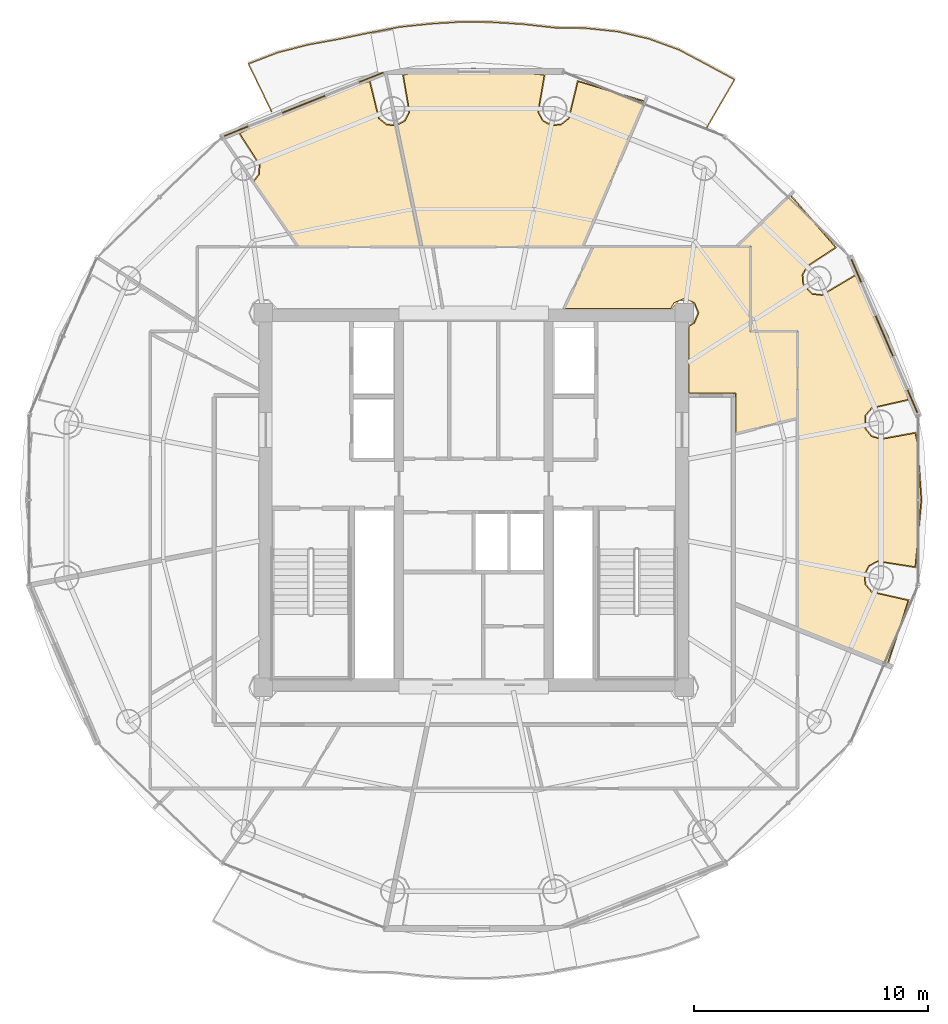
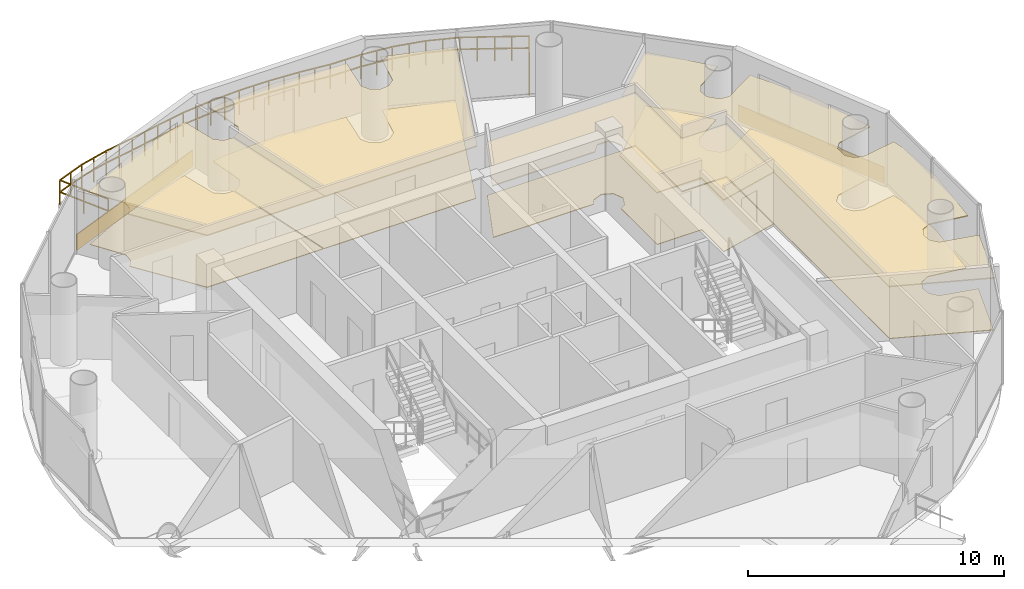
# One storey, part 23 of 23: 10 coverings, 1 railing.
"""IFC4 building model written with IfcOpenShell, lengths in metres."""

from ifc_helpers import new_model, si_unit, direction, frame, origin, origin_2d, place, context, subcontext, project, spatial, polyline, rectangle, outline, extrude, source, transform, mapped, material, layer, layer_set, type_object, element, save


model = new_model("IFC4")

# Units and contexts
model_context = context("Model", 3, precision=1e-05, world=origin(), true_north=direction((-0.2419218956, 0.970295726276)))
body_context = subcontext(model_context, "Body", "Model", "MODEL_VIEW")
ifc_project = project(units=[si_unit("LENGTHUNIT", "METRE"), si_unit("AREAUNIT", "SQUARE_METRE"), si_unit("VOLUMEUNIT", "CUBIC_METRE"), si_unit("PLANEANGLEUNIT", "RADIAN"), si_unit("MASSUNIT", "GRAM", prefix="KILO")], contexts=[model_context])

# Site, building, storey
site_placement = place(None, origin())
site = spatial("IfcSite", under=ifc_project, at=site_placement, CompositionType="ELEMENT")
building_placement = place(site_placement, origin())
building = spatial("IfcBuilding", under=site, at=building_placement, Name="Cobrevalo Terracotta Tower", CompositionType="ELEMENT")
storey_placement = place(building_placement, frame((0.0, 0.0, 251.949951171875)))
storey = spatial("IfcBuildingStorey", under=building, at=storey_placement, Name="L66", CompositionType="ELEMENT", Elevation=251.949951171875)

# Railing
ifc_material_1 = material(Name="Laminated structural glass and stainless steel", Category="steel")
railing_type = type_object("IfcRailingType", Name="Balcony lobe structural glass & terracotta-cap balustrade 1180 mm", PredefinedType="BALUSTRADE", material=ifc_material_1)
railing_placement = place(storey_placement, frame((47.960205078125, 42.719970703125, 0.0)))
element("IfcRailing", 1, at=railing_placement, inside=storey, type_object=railing_type, Name="L66 spiralling balcony lobe balustrade 1", PredefinedType="BALUSTRADE", context=body_context, shape_type="SweptSolid", body=[
    extrude(rectangle(XDim=0.048095703125, YDim=0.048095703125, at=origin_2d()), frame((0.0, 0.0, 1.15576171875), z_axis=(0.502641922327, 0.864494706704, 0.0), x_axis=(-0.864494706704, 0.502641922327, 0.0)), (0.0, 0.0, 1.0), 2.372314453125),
    extrude(rectangle(XDim=0.048095703125, YDim=0.048095703125, at=origin_2d()), frame((0.0, 0.0, 0.58984375), z_axis=(0.502641922327, 0.864494706704, 0.0), x_axis=(-0.864494706704, 0.502641922327, 0.0)), (0.0, 0.0, 1.0), 2.372314453125),
    extrude(rectangle(XDim=0.048095703125, YDim=0.048095703125, at=origin_2d()), frame((1.1923828125, 2.05078125, 1.15576171875), z_axis=(-0.87968606965, 0.475554853685, 0.0), x_axis=(-0.475554853685, -0.87968606965, 0.0)), (0.0, 0.0, 1.0), 1.35009765625),
    extrude(rectangle(XDim=0.048095703125, YDim=0.048095703125, at=origin_2d()), frame((1.1923828125, 2.05078125, 0.58984375), z_axis=(-0.87968606965, 0.475554853685, 0.0), x_axis=(-0.475554853685, -0.87968606965, 0.0)), (0.0, 0.0, 1.0), 1.35009765625),
    extrude(rectangle(XDim=0.048095703125, YDim=0.048095703125, at=origin_2d()), frame((0.004638671875, 2.69287109375, 1.15576171875), z_axis=(-0.883490294102, 0.468449463899, 0.0), x_axis=(-0.468449463899, -0.883490294102, 0.0)), (0.0, 0.0, 1.0), 1.357666015625),
    extrude(rectangle(XDim=0.048095703125, YDim=0.048095703125, at=origin_2d()), frame((0.004638671875, 2.69287109375, 0.58984375), z_axis=(-0.883490294102, 0.468449463899, 0.0), x_axis=(-0.468449463899, -0.883490294102, 0.0)), (0.0, 0.0, 1.0), 1.357666015625),
    extrude(rectangle(XDim=0.048095703125, YDim=0.048095703125, at=origin_2d()), frame((-1.19482421875, 3.328857421875, 1.15576171875), z_axis=(-0.939303951766, 0.34308612067, 0.0), x_axis=(-0.34308612067, -0.939303951766, 0.0)), (0.0, 0.0, 1.0), 1.35693359375),
    extrude(rectangle(XDim=0.048095703125, YDim=0.048095703125, at=origin_2d()), frame((-1.19482421875, 3.328857421875, 0.58984375), z_axis=(-0.939303951766, 0.34308612067, 0.0), x_axis=(-0.34308612067, -0.939303951766, 0.0)), (0.0, 0.0, 1.0), 1.35693359375),
    extrude(rectangle(XDim=0.048095703125, YDim=0.048095703125, at=origin_2d()), frame((-2.469482421875, 3.79443359375, 1.15576171875), z_axis=(-0.974060482742, 0.226287816643, 0.0), x_axis=(-0.226287816643, -0.974060482742, 0.0)), (0.0, 0.0, 1.0), 1.360595703125),
    extrude(rectangle(XDim=0.048095703125, YDim=0.048095703125, at=origin_2d()), frame((-2.469482421875, 3.79443359375, 0.58984375), z_axis=(-0.974060482742, 0.226287816643, 0.0), x_axis=(-0.226287816643, -0.974060482742, 0.0)), (0.0, 0.0, 1.0), 1.360595703125),
    extrude(rectangle(XDim=0.048095703125, YDim=0.048095703125, at=origin_2d()), frame((-3.794677734375, 4.102294921875, 1.15576171875), z_axis=(-0.994502500027, 0.104712833216, 0.0), x_axis=(-0.104712833216, -0.994502500027, 0.0)), (0.0, 0.0, 1.0), 1.359375),
    extrude(rectangle(XDim=0.048095703125, YDim=0.048095703125, at=origin_2d()), frame((-3.794677734375, 4.102294921875, 0.58984375), z_axis=(-0.994502500027, 0.104712833216, 0.0), x_axis=(-0.104712833216, -0.994502500027, 0.0)), (0.0, 0.0, 1.0), 1.359375),
    extrude(rectangle(XDim=0.048095703125, YDim=0.048095703125, at=origin_2d()), frame((-5.146484375, 4.24462890625, 1.15576171875), z_axis=(-0.999834453909, 0.018195185558, 0.0), x_axis=(-0.018195185558, -0.999834453909, 0.0)), (0.0, 0.0, 1.0), 1.355224609375),
    extrude(rectangle(XDim=0.048095703125, YDim=0.048095703125, at=origin_2d()), frame((-5.146484375, 4.24462890625, 0.58984375), z_axis=(-0.999834453909, 0.018195185558, 0.0), x_axis=(-0.018195185558, -0.999834453909, 0.0)), (0.0, 0.0, 1.0), 1.355224609375),
    extrude(rectangle(XDim=0.048095703125, YDim=0.048095703125, at=origin_2d()), frame((-6.50146484375, 4.269287109375, 1.15576171875), z_axis=(-0.993757365556, 0.111562979534, 0.0), x_axis=(-0.111562979534, -0.993757365556, 0.0)), (0.0, 0.0, 1.0), 1.326171875),
    extrude(rectangle(XDim=0.048095703125, YDim=0.048095703125, at=origin_2d()), frame((-6.50146484375, 4.269287109375, 0.58984375), z_axis=(-0.993757365556, 0.111562979534, 0.0), x_axis=(-0.111562979534, -0.993757365556, 0.0)), (0.0, 0.0, 1.0), 1.326171875),
    extrude(rectangle(XDim=0.048095703125, YDim=0.048095703125, at=origin_2d()), frame((-7.8193359375, 4.417236328125, 1.15576171875), z_axis=(-0.997986945276, 0.063419689836, 0.0), x_axis=(-0.063419689836, -0.997986945276, 0.0)), (0.0, 0.0, 1.0), 1.328125),
    extrude(rectangle(XDim=0.048095703125, YDim=0.048095703125, at=origin_2d()), frame((-7.8193359375, 4.417236328125, 0.58984375), z_axis=(-0.997986945276, 0.063419689836, 0.0), x_axis=(-0.063419689836, -0.997986945276, 0.0)), (0.0, 0.0, 1.0), 1.328125),
    extrude(rectangle(XDim=0.048095703125, YDim=0.048095703125, at=origin_2d()), frame((-9.144775390625, 4.50146484375, 1.15576171875), z_axis=(-0.999902065947, 0.013994946043, 0.0), x_axis=(-0.013994946043, -0.999902065947, 0.0)), (0.0, 0.0, 1.0), 1.325927734375),
    extrude(rectangle(XDim=0.048095703125, YDim=0.048095703125, at=origin_2d()), frame((-9.144775390625, 4.50146484375, 0.58984375), z_axis=(-0.999902065947, 0.013994946043, 0.0), x_axis=(-0.013994946043, -0.999902065947, 0.0)), (0.0, 0.0, 1.0), 1.325927734375),
    extrude(rectangle(XDim=0.048095703125, YDim=0.048095703125, at=origin_2d()), frame((-10.470458984375, 4.52001953125, 1.15576171875), z_axis=(-0.998056153456, -0.062321060236, 0.0), x_axis=(0.062321060236, -0.998056153456, 0.0)), (0.0, 0.0, 1.0), 1.328125),
    extrude(rectangle(XDim=0.048095703125, YDim=0.048095703125, at=origin_2d()), frame((-10.470458984375, 4.52001953125, 0.58984375), z_axis=(-0.998056153456, -0.062321060236, 0.0), x_axis=(0.062321060236, -0.998056153456, 0.0)), (0.0, 0.0, 1.0), 1.328125),
    extrude(rectangle(XDim=0.048095703125, YDim=0.048095703125, at=origin_2d()), frame((-11.7958984375, 4.437255859375, 1.15576171875), z_axis=(-0.994726183174, -0.102566176236, 0.0), x_axis=(0.102566176236, -0.994726183174, 0.0)), (0.0, 0.0, 1.0), 1.325927734375),
    extrude(rectangle(XDim=0.048095703125, YDim=0.048095703125, at=origin_2d()), frame((-11.7958984375, 4.437255859375, 0.58984375), z_axis=(-0.994726183174, -0.102566176236, 0.0), x_axis=(0.102566176236, -0.994726183174, 0.0)), (0.0, 0.0, 1.0), 1.325927734375),
    extrude(rectangle(XDim=0.048095703125, YDim=0.048095703125, at=origin_2d()), frame((-13.11474609375, 4.30126953125, 1.15576171875), z_axis=(-0.98230312037, -0.187298103865, 0.0), x_axis=(0.187298103865, -0.98230312037, 0.0)), (0.0, 0.0, 1.0), 1.326904296875),
    extrude(rectangle(XDim=0.048095703125, YDim=0.048095703125, at=origin_2d()), frame((-13.11474609375, 4.30126953125, 0.58984375), z_axis=(-0.98230312037, -0.187298103865, 0.0), x_axis=(0.187298103865, -0.98230312037, 0.0)), (0.0, 0.0, 1.0), 1.326904296875),
    extrude(rectangle(XDim=0.048095703125, YDim=0.048095703125, at=origin_2d()), frame((-14.418212890625, 4.052734375, 1.15576171875), z_axis=(-0.979270496797, -0.202556891026, 0.0), x_axis=(0.202556891026, -0.979270496797, 0.0)), (0.0, 0.0, 1.0), 1.325927734375),
    extrude(rectangle(XDim=0.048095703125, YDim=0.048095703125, at=origin_2d()), frame((-14.418212890625, 4.052734375, 0.58984375), z_axis=(-0.979270496797, -0.202556891026, 0.0), x_axis=(0.202556891026, -0.979270496797, 0.0)), (0.0, 0.0, 1.0), 1.325927734375),
    extrude(rectangle(XDim=0.048095703125, YDim=0.048095703125, at=origin_2d()), frame((-15.716552734375, 3.7841796875, 1.15576171875), z_axis=(-0.983741430346, -0.179590640682, 0.0), x_axis=(0.179590640682, -0.983741430346, 0.0)), (0.0, 0.0, 1.0), 1.34033203125),
    extrude(rectangle(XDim=0.048095703125, YDim=0.048095703125, at=origin_2d()), frame((-15.716552734375, 3.7841796875, 0.58984375), z_axis=(-0.983741430346, -0.179590640682, 0.0), x_axis=(0.179590640682, -0.983741430346, 0.0)), (0.0, 0.0, 1.0), 1.34033203125),
    extrude(rectangle(XDim=0.048095703125, YDim=0.048095703125, at=origin_2d()), frame((-17.03515625, 3.54345703125, 1.15576171875), z_axis=(-0.968499181534, -0.249016737125, 0.0), x_axis=(0.249016737125, -0.968499181534, 0.0)), (0.0, 0.0, 1.0), 1.34619140625),
    extrude(rectangle(XDim=0.048095703125, YDim=0.048095703125, at=origin_2d()), frame((-17.03515625, 3.54345703125, 0.58984375), z_axis=(-0.968499181534, -0.249016737125, 0.0), x_axis=(0.249016737125, -0.968499181534, 0.0)), (0.0, 0.0, 1.0), 1.34619140625),
    extrude(rectangle(XDim=0.048095703125, YDim=0.048095703125, at=origin_2d()), frame((-18.3388671875, 3.208251953125, 1.15576171875), z_axis=(-0.933555930287, -0.358431757838, 0.0), x_axis=(0.358431757838, -0.933555930287, 0.0)), (0.0, 0.0, 1.0), 1.34521484375),
    extrude(rectangle(XDim=0.048095703125, YDim=0.048095703125, at=origin_2d()), frame((-18.3388671875, 3.208251953125, 0.58984375), z_axis=(-0.933555930287, -0.358431757838, 0.0), x_axis=(0.358431757838, -0.933555930287, 0.0)), (0.0, 0.0, 1.0), 1.34521484375),
    extrude(rectangle(XDim=0.048095703125, YDim=0.048095703125, at=origin_2d()), frame((-19.5947265625, 2.72607421875, 1.15576171875), z_axis=(0.435633828595, -0.900123973341, 0.0), x_axis=(0.900123973341, 0.435633828595, 0.0)), (0.0, 0.0, 1.0), 2.27587890625),
    extrude(rectangle(XDim=0.048095703125, YDim=0.048095703125, at=origin_2d()), frame((-19.5947265625, 2.72607421875, 0.58984375), z_axis=(0.435633828595, -0.900123973341, 0.0), x_axis=(0.900123973341, 0.435633828595, 0.0)), (0.0, 0.0, 1.0), 2.27587890625),
    extrude(rectangle(XDim=0.0419921875, YDim=0.0419921875, at=origin_2d()), origin(), (0.0, 0.0, 1.0), 1.1318359375),
    extrude(rectangle(XDim=0.0419921875, YDim=0.0419921875, at=origin_2d()), frame((0.59619140625, 1.025390625, 0.0)), (0.0, 0.0, 1.0), 1.1318359375),
    extrude(rectangle(XDim=0.0419921875, YDim=0.0419921875, at=origin_2d()), frame((1.1923828125, 2.05078125, 0.0)), (0.0, 0.0, 1.0), 1.1318359375),
    extrude(rectangle(XDim=0.0419921875, YDim=0.0419921875, at=origin_2d()), frame((0.5986328125, 2.371826171875, 0.0)), (0.0, 0.0, 1.0), 1.1318359375),
    extrude(rectangle(XDim=0.0419921875, YDim=0.0419921875, at=origin_2d()), frame((0.004638671875, 2.69287109375, 0.0)), (0.0, 0.0, 1.0), 1.1318359375),
    extrude(rectangle(XDim=0.0419921875, YDim=0.0419921875, at=origin_2d()), frame((-0.59521484375, 3.0107421875, 0.0)), (0.0, 0.0, 1.0), 1.1318359375),
    extrude(rectangle(XDim=0.0419921875, YDim=0.0419921875, at=origin_2d()), frame((-1.19482421875, 3.328857421875, 0.0)), (0.0, 0.0, 1.0), 1.1318359375),
    extrude(rectangle(XDim=0.0419921875, YDim=0.0419921875, at=origin_2d()), frame((-1.83203125, 3.5615234375, 0.0)), (0.0, 0.0, 1.0), 1.1318359375),
    extrude(rectangle(XDim=0.0419921875, YDim=0.0419921875, at=origin_2d()), frame((-2.469482421875, 3.79443359375, 0.0)), (0.0, 0.0, 1.0), 1.1318359375),
    extrude(rectangle(XDim=0.0419921875, YDim=0.0419921875, at=origin_2d()), frame((-3.132080078125, 3.9482421875, 0.0)), (0.0, 0.0, 1.0), 1.1318359375),
    extrude(rectangle(XDim=0.0419921875, YDim=0.0419921875, at=origin_2d()), frame((-3.794677734375, 4.102294921875, 0.0)), (0.0, 0.0, 1.0), 1.1318359375),
    extrude(rectangle(XDim=0.0419921875, YDim=0.0419921875, at=origin_2d()), frame((-4.470703125, 4.17333984375, 0.0)), (0.0, 0.0, 1.0), 1.1318359375),
    extrude(rectangle(XDim=0.0419921875, YDim=0.0419921875, at=origin_2d()), frame((-5.146484375, 4.24462890625, 0.0)), (0.0, 0.0, 1.0), 1.1318359375),
    extrude(rectangle(XDim=0.0419921875, YDim=0.0419921875, at=origin_2d()), frame((-5.823974609375, 4.2568359375, 0.0)), (0.0, 0.0, 1.0), 1.1318359375),
    extrude(rectangle(XDim=0.0419921875, YDim=0.0419921875, at=origin_2d()), frame((-6.50146484375, 4.269287109375, 0.0)), (0.0, 0.0, 1.0), 1.1318359375),
    extrude(rectangle(XDim=0.0419921875, YDim=0.0419921875, at=origin_2d()), frame((-7.160400390625, 4.34326171875, 0.0)), (0.0, 0.0, 1.0), 1.1318359375),
    extrude(rectangle(XDim=0.0419921875, YDim=0.0419921875, at=origin_2d()), frame((-7.8193359375, 4.417236328125, 0.0)), (0.0, 0.0, 1.0), 1.1318359375),
    extrude(rectangle(XDim=0.0419921875, YDim=0.0419921875, at=origin_2d()), frame((-8.48193359375, 4.45947265625, 0.0)), (0.0, 0.0, 1.0), 1.1318359375),
    extrude(rectangle(XDim=0.0419921875, YDim=0.0419921875, at=origin_2d()), frame((-9.144775390625, 4.50146484375, 0.0)), (0.0, 0.0, 1.0), 1.1318359375),
    extrude(rectangle(XDim=0.0419921875, YDim=0.0419921875, at=origin_2d()), frame((-9.8076171875, 4.5107421875, 0.0)), (0.0, 0.0, 1.0), 1.1318359375),
    extrude(rectangle(XDim=0.0419921875, YDim=0.0419921875, at=origin_2d()), frame((-10.470458984375, 4.52001953125, 0.0)), (0.0, 0.0, 1.0), 1.1318359375),
    extrude(rectangle(XDim=0.0419921875, YDim=0.0419921875, at=origin_2d()), frame((-11.13330078125, 4.478515625, 0.0)), (0.0, 0.0, 1.0), 1.1318359375),
    extrude(rectangle(XDim=0.0419921875, YDim=0.0419921875, at=origin_2d()), frame((-11.7958984375, 4.437255859375, 0.0)), (0.0, 0.0, 1.0), 1.1318359375),
    extrude(rectangle(XDim=0.0419921875, YDim=0.0419921875, at=origin_2d()), frame((-12.455322265625, 4.369140625, 0.0)), (0.0, 0.0, 1.0), 1.1318359375),
    extrude(rectangle(XDim=0.0419921875, YDim=0.0419921875, at=origin_2d()), frame((-13.11474609375, 4.30126953125, 0.0)), (0.0, 0.0, 1.0), 1.1318359375),
    extrude(rectangle(XDim=0.0419921875, YDim=0.0419921875, at=origin_2d()), frame((-13.7666015625, 4.177001953125, 0.0)), (0.0, 0.0, 1.0), 1.1318359375),
    extrude(rectangle(XDim=0.0419921875, YDim=0.0419921875, at=origin_2d()), frame((-14.418212890625, 4.052734375, 0.0)), (0.0, 0.0, 1.0), 1.1318359375),
    extrude(rectangle(XDim=0.0419921875, YDim=0.0419921875, at=origin_2d()), frame((-15.0673828125, 3.91845703125, 0.0)), (0.0, 0.0, 1.0), 1.1318359375),
    extrude(rectangle(XDim=0.0419921875, YDim=0.0419921875, at=origin_2d()), frame((-15.716552734375, 3.7841796875, 0.0)), (0.0, 0.0, 1.0), 1.1318359375),
    extrude(rectangle(XDim=0.0419921875, YDim=0.0419921875, at=origin_2d()), frame((-16.3759765625, 3.663818359375, 0.0)), (0.0, 0.0, 1.0), 1.1318359375),
    extrude(rectangle(XDim=0.0419921875, YDim=0.0419921875, at=origin_2d()), frame((-17.03515625, 3.54345703125, 0.0)), (0.0, 0.0, 1.0), 1.1318359375),
    extrude(rectangle(XDim=0.0419921875, YDim=0.0419921875, at=origin_2d()), frame((-17.68701171875, 3.3759765625, 0.0)), (0.0, 0.0, 1.0), 1.1318359375),
    extrude(rectangle(XDim=0.0419921875, YDim=0.0419921875, at=origin_2d()), frame((-18.3388671875, 3.208251953125, 0.0)), (0.0, 0.0, 1.0), 1.1318359375),
    extrude(rectangle(XDim=0.0419921875, YDim=0.0419921875, at=origin_2d()), frame((-18.966796875, 2.96728515625, 0.0)), (0.0, 0.0, 1.0), 1.1318359375),
    extrude(rectangle(XDim=0.0419921875, YDim=0.0419921875, at=origin_2d()), frame((-19.5947265625, 2.72607421875, 0.0)), (0.0, 0.0, 1.0), 1.1318359375),
    extrude(rectangle(XDim=0.0419921875, YDim=0.0419921875, at=origin_2d()), frame((-19.09912109375, 1.70166015625, 0.0)), (0.0, 0.0, 1.0), 1.1318359375),
    extrude(rectangle(XDim=0.0419921875, YDim=0.0419921875, at=origin_2d()), frame((-18.603271484375, 0.677490234375, 0.0)), (0.0, 0.0, 1.0), 1.1318359375),
])

# Coverings
ifc_material_2 = material(Name="Engineered Brazilian hardwood flooring", Category="wood")
ifc_layer_1 = layer(ifc_material_2, 0.028076171875)
ifc_layer_set_1 = layer_set([ifc_layer_1], Name="Engineered Brazilian hardwood flooring")
covering_type_1 = type_object("IfcCoveringType", Name="Engineered Hardwood Suite Flooring 28", PredefinedType="FLOORING", material=ifc_layer_set_1)
covering_1_placement = place(storey_placement, origin())
element("IfcCovering", 2, at=covering_1_placement, inside=storey, type_object=covering_type_1, Name="Flat L66A Penthouse Living and Dining Room floor finish", PredefinedType="FLOORING", context=body_context, shape_type="SweptSolid", body=[
    extrude(outline(polyline([(51.52978515625, 39.81396484375), (53.4560546875, 37.599365234375), (52.2451171875, 36.805419921875), (52.035400390625, 36.43017578125), (52.06982421875, 36.001953125), (52.462890625, 35.593994140625), (52.8896484375, 35.5439453125), (54.300048828125, 36.382568359375), (55.66455078125, 33.848876953125), (56.56494140625, 31.1005859375), (55.00244140625, 30.74462890625), (54.727294921875, 30.41455078125), (54.72314453125, 29.84814453125), (54.9931640625, 29.51416015625), (55.4033203125, 29.38623046875), (56.8642578125, 29.65087890625), (56.956298828125, 29.2041015625), (57.119873046875, 26.800048828125), (56.8642578125, 23.948974609375), (55.259033203125, 24.198486328125), (54.881591796875, 23.9931640625), (54.681884765625, 23.612548828125), (54.727294921875, 23.185302734375), (55.00244140625, 22.855224609375), (56.56494140625, 22.49951171875), (55.669921875, 19.766357421875), (51.85498046875, 21.289794921875), (51.85498046875, 34.030029296875), (49.844970703125, 34.030029296875), (49.844970703125, 37.64501953125), (49.27978515625, 37.64501953125), (51.52978515625, 39.81396484375)])), origin(), (0.0, 0.0, 1.0), 0.030029296875),
])
covering_2_placement = place(storey_placement, origin())
element("IfcCovering", 3, at=covering_2_placement, inside=storey, type_object=covering_type_1, Name="Flat L66A Penthouse Family Lounge floor finish", PredefinedType="FLOORING", context=body_context, shape_type="SweptSolid", body=[
    extrude(outline(polyline([(34.71728515625, 42.80712890625), (35.064453125, 43.003173828125), (35.26416015625, 43.3837890625), (34.994140625, 44.964599609375), (35.504150390625, 45.062255859375), (38.0, 45.219970703125), (41.005859375, 44.964599609375), (40.73583984375, 43.3837890625), (40.935546875, 43.003173828125), (41.312744140625, 42.797607421875), (41.74072265625, 42.83642578125), (42.074951171875, 43.1064453125), (42.45947265625, 44.68603515625), (45.294189453125, 43.8251953125), (42.638427734375, 37.64501953125), (35.782470703125, 37.64501953125), (34.71728515625, 42.80712890625)])), origin(), (0.0, 0.0, 1.0), 0.030029296875),
])
covering_3_placement = place(storey_placement, origin())
element("IfcCovering", 4, at=covering_3_placement, inside=storey, type_object=covering_type_1, Name="Flat L66A Principal Guest Bedroom floor finish", PredefinedType="FLOORING", context=body_context, shape_type="SweptSolid", body=[
    extrude(outline(polyline([(28.59716796875, 40.399658203125), (28.82763671875, 40.706298828125), (28.861572265625, 41.134521484375), (28.00146484375, 42.4697265625), (30.682861328125, 43.817626953125), (33.54052734375, 44.68603515625), (33.925048828125, 43.1064453125), (34.25927734375, 42.83642578125), (34.678466796875, 42.796630859375), (35.74169921875, 37.64501953125), (30.506591796875, 37.64501953125), (28.59716796875, 40.399658203125)])), origin(), (0.0, 0.0, 1.0), 0.030029296875),
])
ifc_material_3 = material(Name="Honed terracotta and granite tile", Category="masonry")
ifc_layer_2 = layer(ifc_material_3, 0.034912109375)
ifc_layer_set_2 = layer_set([ifc_layer_2], Name="Honed terracotta and granite tile")
covering_type_2 = type_object("IfcCoveringType", Name="Honed Terracotta & Granite Interior Flooring 35", PredefinedType="FLOORING", material=ifc_layer_set_2)
covering_4_placement = place(storey_placement, origin())
element("IfcCovering", 5, at=covering_4_placement, inside=storey, type_object=covering_type_2, Name="Flat L66A Apartment Entrance Hall floor finish", PredefinedType="FLOORING", context=body_context, shape_type="SweptSolid", body=[
    extrude(outline(polyline([(47.195068359375, 31.3798828125), (47.195068359375, 34.218505859375), (47.438720703125, 34.361328125), (47.620361328125, 34.800048828125), (47.438720703125, 35.23876953125), (47.0, 35.42041015625), (46.561279296875, 35.23876953125), (46.41845703125, 34.9951171875), (41.885009765625, 34.9951171875), (43.115234375, 37.60498046875), (49.804931640625, 37.60498046875), (49.804931640625, 33.989990234375), (51.81494140625, 33.989990234375), (51.81494140625, 30.312255859375), (49.205078125, 29.652587890625), (49.205078125, 31.3798828125), (47.195068359375, 31.3798828125)])), origin(), (0.0, 0.0, 1.0), 0.030029296875),
])
ifc_material_4 = material(Name="Acoustic perforated gypsum ceiling", Category="gypsum")
ifc_layer_3 = layer(ifc_material_4, 0.050048828125)
ifc_layer_set_3 = layer_set([ifc_layer_3], Name="Acoustic perforated gypsum ceiling")
covering_type_3 = type_object("IfcCoveringType", Name="Perforated Acoustic Gypsum Ceiling 50", PredefinedType="CEILING", material=ifc_layer_set_3)
covering_5_placement = place(storey_placement, frame((0.0, 0.0, 2.5)))
element("IfcCovering", 6, at=covering_5_placement, inside=storey, type_object=covering_type_3, Name="Flat L66A Penthouse Living and Dining Room acoustic ceiling", PredefinedType="CEILING", context=body_context, shape_type="SweptSolid", body=[
    extrude(outline(polyline([(51.531982421875, 39.87841796875), (53.51953125, 37.586669921875), (52.2763671875, 36.772705078125), (52.07958984375, 36.420654296875), (52.11181640625, 36.0185546875), (52.48095703125, 35.635498046875), (52.881591796875, 35.588623046875), (54.312255859375, 36.44384765625), (55.7060546875, 33.86669921875), (56.6181640625, 31.06494140625), (55.02734375, 30.70703125), (54.76904296875, 30.39697265625), (54.764892578125, 29.865234375), (55.0185546875, 29.551513671875), (55.40380859375, 29.431396484375), (56.899169921875, 29.703369140625), (57.0009765625, 29.210205078125), (57.1650390625, 26.800048828125), (56.899169921875, 23.896484375), (55.268310546875, 24.154296875), (54.913818359375, 23.96142578125), (54.726318359375, 23.60400390625), (54.76904296875, 23.202880859375), (55.02734375, 22.89306640625), (56.6181640625, 22.53515625), (55.69677734375, 19.707275390625), (51.81005859375, 21.25927734375), (51.81005859375, 33.985107421875), (49.800048828125, 33.985107421875), (49.800048828125, 37.60009765625), (49.168212890625, 37.60009765625), (51.531982421875, 39.87841796875)])), origin(), (0.0, 0.0, 1.0), 0.050048828125),
])
covering_6_placement = place(storey_placement, frame((0.0, 0.0, 2.5)))
element("IfcCovering", 7, at=covering_6_placement, inside=storey, type_object=covering_type_3, Name="Flat L66A Penthouse Family Lounge acoustic ceiling", PredefinedType="CEILING", context=body_context, shape_type="SweptSolid", body=[
    extrude(outline(polyline([(34.6650390625, 42.837890625), (35.0322265625, 43.034912109375), (35.2197265625, 43.39208984375), (34.94091796875, 45.000244140625), (35.49853515625, 45.107177734375), (38.0, 45.26513671875), (41.05908203125, 45.000244140625), (40.7802734375, 43.39208984375), (40.9677734375, 43.034912109375), (41.322021484375, 42.842041015625), (41.7236328125, 42.87841796875), (42.03759765625, 43.1318359375), (42.424560546875, 44.738525390625), (45.35498046875, 43.852783203125), (42.668212890625, 37.60009765625), (35.745849609375, 37.60009765625), (34.6650390625, 42.837890625)])), origin(), (0.0, 0.0, 1.0), 0.050048828125),
])
covering_7_placement = place(storey_placement, frame((0.0, 0.0, 2.5)))
element("IfcCovering", 8, at=covering_7_placement, inside=storey, type_object=covering_type_3, Name="Flat L66A Principal Guest Bedroom acoustic ceiling", PredefinedType="CEILING", context=body_context, shape_type="SweptSolid", body=[
    extrude(outline(polyline([(28.537109375, 40.407470703125), (28.785400390625, 40.72265625), (28.8173828125, 41.124755859375), (27.937744140625, 42.482421875), (30.666259765625, 43.859619140625), (33.575439453125, 44.738525390625), (33.96240234375, 43.1318359375), (34.2763671875, 42.87841796875), (34.71435546875, 42.845703125), (35.796875, 37.60009765625), (30.483154296875, 37.60009765625), (28.537109375, 40.407470703125)])), origin(), (0.0, 0.0, 1.0), 0.050048828125),
])
covering_8_placement = place(storey_placement, frame((0.0, 0.0, 2.5)))
element("IfcCovering", 9, at=covering_8_placement, inside=storey, type_object=covering_type_3, Name="Flat L66A Apartment Entrance Hall acoustic ceiling", PredefinedType="CEILING", context=body_context, shape_type="SweptSolid", body=[
    extrude(outline(polyline([(47.14990234375, 31.3349609375), (47.14990234375, 34.25537109375), (47.40625, 34.393798828125), (47.574462890625, 34.800048828125), (47.40625, 35.206298828125), (47.219970703125, 35.330810546875), (46.780029296875, 35.330810546875), (46.455322265625, 34.949951171875), (41.81396484375, 34.949951171875), (43.086669921875, 37.64990234375), (49.85009765625, 37.64990234375), (49.85009765625, 34.034912109375), (51.860107421875, 34.034912109375), (51.860107421875, 30.27734375), (49.159912109375, 29.5947265625), (49.159912109375, 31.3349609375), (47.14990234375, 31.3349609375)])), origin(), (0.0, 0.0, 1.0), 0.050048828125),
])
ifc_material_5 = material(Name="Glazed terracotta facade cladding tile", Category="masonry")
ifc_layer_4 = layer(ifc_material_5, 0.044921875)
ifc_layer_set_4 = layer_set([ifc_layer_4], Name="Glazed terracotta facade cladding tile")
covering_type_4 = type_object("IfcCoveringType", Name="Architectural terracotta rainscreen spandrel cladding 45 mm", PredefinedType="CLADDING", material=ifc_layer_set_4)
shared_shape_1 = source(origin(), body_context, "Body", "SweptSolid", [
    extrude(rectangle(XDim=7.125244140625, YDim=0.044921875, at=origin_2d()), origin(), (0.0, 0.0, 1.0), 0.760009765625),
])
covering_9_placement = place(storey_placement, frame((55.5517578125, 33.807373046875, 0.0400390625), z_axis=(0.0, 0.0, 1.0), x_axis=(-0.394828845134, 0.918754691444, 0.0)))
element("IfcCovering", 10, at=covering_9_placement, inside=storey, type_object=covering_type_4, Name="L66 terracotta spandrel cladding S01", PredefinedType="CLADDING", context=body_context, shape_type="MappedRepresentation", body=[
    mapped(shared_shape_1, transform((0.0, 0.0, 0.0), scale=1.0)),
])
shared_shape_2 = source(origin(), body_context, "Body", "SweptSolid", [
    extrude(rectangle(XDim=7.318359375, YDim=0.044921875, at=origin_2d()), origin(), (0.0, 0.0, 1.0), 0.760009765625),
])
covering_10_placement = place(storey_placement, frame((30.729736328125, 43.71728515625, 0.0400390625), z_axis=(0.0, 0.0, 1.0), x_axis=(-0.92871833374, -0.370785998353, 0.0)))
element("IfcCovering", 11, at=covering_10_placement, inside=storey, type_object=covering_type_4, Name="L66 terracotta spandrel cladding S05", PredefinedType="CLADDING", context=body_context, shape_type="MappedRepresentation", body=[
    mapped(shared_shape_2, transform((0.0, 0.0, 0.0), scale=1.0)),
])

save(model, "model.ifc")
